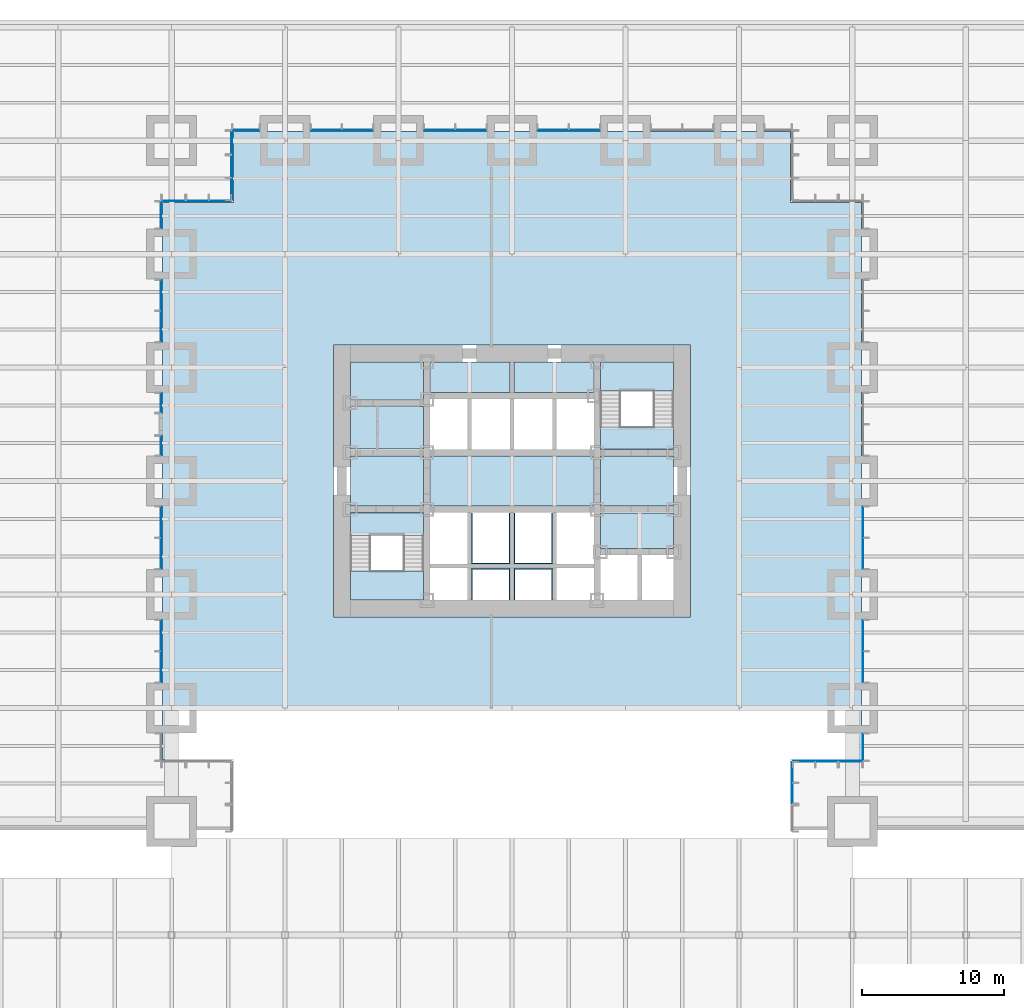
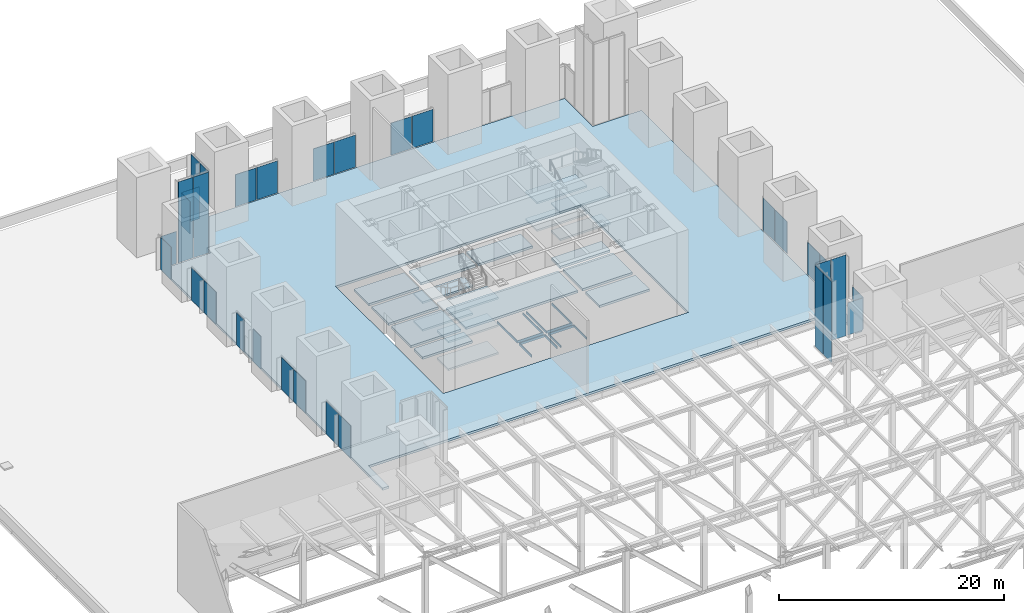
# One storey, part 14 of 20: 32 plates, 24 slabs, 22 elements without a shape of their own.
"""IFC4 building model written with IfcOpenShell, lengths in metres."""

from ifc_helpers import new_model, si_unit, direction, frame, origin, origin_2d, place, context, subcontext, project, spatial, polyline, rectangle, outline, extrude, material, layer, layer_set, type_object, element, aggregate, save


model = new_model("IFC4")

# Units and contexts
model_context = context("Model", 3, precision=1e-05, world=origin(), true_north=direction((0.0, 1.0)))
body_context = subcontext(model_context, "Body", "Model", "MODEL_VIEW")
ifc_project = project(units=[si_unit("LENGTHUNIT", "METRE"), si_unit("AREAUNIT", "SQUARE_METRE"), si_unit("VOLUMEUNIT", "CUBIC_METRE"), si_unit("PLANEANGLEUNIT", "RADIAN"), si_unit("MASSUNIT", "GRAM", prefix="KILO")], contexts=[model_context])

# Site, building, storey
site_placement = place(None, origin())
site = spatial("IfcSite", under=ifc_project, at=site_placement, CompositionType="ELEMENT")
building_placement = place(site_placement, origin())
building = spatial("IfcBuilding", under=site, at=building_placement, Name="Daluyong Arena Tower", CompositionType="ELEMENT")
storey_placement = place(building_placement, frame((0.0, 0.0, 25.89990234375)))
storey = spatial("IfcBuildingStorey", under=building, at=storey_placement, Name="L05", CompositionType="ELEMENT", Elevation=25.89990234375)

# Curtain wall, plates
ifc_material_1 = material(Name="Bronze anodised aluminium and glass", Category="aluminium")
curtain_wall_type = type_object("IfcCurtainWallType", Name="Curtain wall CW6", PredefinedType="USERDEFINED", material=ifc_material_1)
curtain_wall_1_placement = place(storey_placement, origin())
curtain_wall_1 = element("IfcCurtainWall", 1, at=curtain_wall_1_placement, inside=storey, type_object=curtain_wall_type, Name="curtain wall L05 SE-E bay 2", ObjectType="UNITISED CURTAIN WALL", PredefinedType="USERDEFINED")
ifc_material_2 = material(Name="Bronze aluminium louvre panel", Category="aluminium")
ifc_layer_1 = layer(ifc_material_2, 0.050048828125)
ifc_layer_set_1 = layer_set([ifc_layer_1], Name="Bronze aluminium louvre panel")
plate_type = type_object("IfcPlateType", Name="CW6 panel 50", PredefinedType="CURTAIN_PANEL", material=ifc_layer_set_1)
plate_1_placement = place(storey_placement, frame((75.75, 57.982421875, 0.0), z_axis=(0.0, 0.0, 1.0), x_axis=(0.0, 1.0, 0.0)))
plate_1 = element("IfcPlate", 2, at=plate_1_placement, type_object=plate_type, Name="curtain wall L05 SE-E bay 2 panel 1", PredefinedType="CURTAIN_PANEL", context=body_context, shape_type="SweptSolid", body=[
    extrude(rectangle(XDim=1.405029296875, YDim=0.050048828125, at=origin_2d()), origin(), (0.0, 0.0, 1.0), 8.800048828125),
])
plate_2_placement = place(storey_placement, frame((75.75, 59.467529296875, 0.0), z_axis=(0.0, 0.0, 1.0), x_axis=(0.0, 1.0, 0.0)))
plate_2 = element("IfcPlate", 3, at=plate_2_placement, type_object=plate_type, Name="curtain wall L05 SE-E bay 2 panel 2", PredefinedType="CURTAIN_PANEL", context=body_context, shape_type="SweptSolid", body=[
    extrude(rectangle(XDim=1.405029296875, YDim=0.050048828125, at=origin_2d()), origin(), (0.0, 0.0, 1.0), 8.800048828125),
])
aggregate(curtain_wall_1, [plate_1, plate_2])

curtain_wall_2_placement = place(storey_placement, origin())
curtain_wall_2 = element("IfcCurtainWall", 4, at=curtain_wall_2_placement, inside=storey, type_object=curtain_wall_type, Name="curtain wall L05 SE-S bay 1", ObjectType="UNITISED CURTAIN WALL", PredefinedType="USERDEFINED")
plate_3_placement = place(storey_placement, frame((76.58251953125, 60.25, 0.0), z_axis=(0.0, 0.0, 1.0), x_axis=(1.0, 0.0, 0.0)))
plate_3 = element("IfcPlate", 5, at=plate_3_placement, type_object=plate_type, Name="curtain wall L05 SE-S bay 1 panel 1", PredefinedType="CURTAIN_PANEL", context=body_context, shape_type="SweptSolid", body=[
    extrude(rectangle(XDim=1.5048828125, YDim=0.050048828125, at=origin_2d()), origin(), (0.0, 0.0, 1.0), 8.800048828125),
])
plate_4_placement = place(storey_placement, frame((78.16748046875, 60.25, 0.0), z_axis=(0.0, 0.0, 1.0), x_axis=(1.0, 0.0, 0.0)))
plate_4 = element("IfcPlate", 6, at=plate_4_placement, type_object=plate_type, Name="curtain wall L05 SE-S bay 1 panel 2", PredefinedType="CURTAIN_PANEL", context=body_context, shape_type="SweptSolid", body=[
    extrude(rectangle(XDim=1.5048828125, YDim=0.050048828125, at=origin_2d()), origin(), (0.0, 0.0, 1.0), 8.800048828125),
])
aggregate(curtain_wall_2, [plate_3, plate_4])

# Curtain wall, plate
curtain_wall_3_placement = place(storey_placement, origin())
curtain_wall_3 = element("IfcCurtainWall", 7, at=curtain_wall_3_placement, inside=storey, type_object=curtain_wall_type, Name="curtain wall L05 SE-S bay 2", ObjectType="UNITISED CURTAIN WALL", PredefinedType="USERDEFINED")
plate_5_placement = place(storey_placement, frame((79.875, 60.25, 0.0), z_axis=(0.0, 0.0, 1.0), x_axis=(1.0, 0.0, 0.0)))
plate_5 = element("IfcPlate", 8, at=plate_5_placement, type_object=plate_type, Name="curtain wall L05 SE-S bay 2 panel 1", PredefinedType="CURTAIN_PANEL", context=body_context, shape_type="SweptSolid", body=[
    extrude(rectangle(XDim=1.590087890625, YDim=0.050048828125, at=origin_2d()), origin(), (0.0, 0.0, 1.0), 3.5),
])
aggregate(curtain_wall_3, [plate_5])

curtain_wall_4_placement = place(storey_placement, origin())
curtain_wall_4 = element("IfcCurtainWall", 9, at=curtain_wall_4_placement, inside=storey, type_object=curtain_wall_type, Name="curtain wall L05 E bay 1", ObjectType="UNITISED CURTAIN WALL", PredefinedType="USERDEFINED")
plate_6_placement = place(storey_placement, frame((80.75, 61.25, 0.0), z_axis=(0.0, 0.0, 1.0), x_axis=(0.0, 1.0, 0.0)))
plate_6 = element("IfcPlate", 10, at=plate_6_placement, type_object=plate_type, Name="curtain wall L05 E bay 1 panel 1", PredefinedType="CURTAIN_PANEL", context=body_context, shape_type="SweptSolid", body=[
    extrude(rectangle(XDim=1.840087890625, YDim=0.050048828125, at=origin_2d()), origin(), (0.0, 0.0, 1.0), 3.5),
])
aggregate(curtain_wall_4, [plate_6])

# Curtain wall, plates
curtain_wall_5_placement = place(storey_placement, origin())
curtain_wall_5 = element("IfcCurtainWall", 11, at=curtain_wall_5_placement, inside=storey, type_object=curtain_wall_type, Name="curtain wall L05 E bay 2", ObjectType="UNITISED CURTAIN WALL", PredefinedType="USERDEFINED")
plate_7_placement = place(storey_placement, frame((80.75, 66.89501953125, 0.0), z_axis=(0.0, 0.0, 1.0), x_axis=(0.0, 1.0, 0.0)))
plate_7 = element("IfcPlate", 12, at=plate_7_placement, type_object=plate_type, Name="curtain wall L05 E bay 2 panel 1", PredefinedType="CURTAIN_PANEL", context=body_context, shape_type="SweptSolid", body=[
    extrude(rectangle(XDim=2.1298828125, YDim=0.050048828125, at=origin_2d()), origin(), (0.0, 0.0, 1.0), 3.5),
])
plate_8_placement = place(storey_placement, frame((80.75, 69.10498046875, 0.0), z_axis=(0.0, 0.0, 1.0), x_axis=(0.0, 1.0, 0.0)))
plate_8 = element("IfcPlate", 13, at=plate_8_placement, type_object=plate_type, Name="curtain wall L05 E bay 2 panel 2", PredefinedType="CURTAIN_PANEL", context=body_context, shape_type="SweptSolid", body=[
    extrude(rectangle(XDim=2.1298828125, YDim=0.050048828125, at=origin_2d()), origin(), (0.0, 0.0, 1.0), 3.5),
])
aggregate(curtain_wall_5, [plate_7, plate_8])

curtain_wall_6_placement = place(storey_placement, origin())
curtain_wall_6 = element("IfcCurtainWall", 14, at=curtain_wall_6_placement, inside=storey, type_object=curtain_wall_type, Name="curtain wall L05 E bay 3", ObjectType="UNITISED CURTAIN WALL", PredefinedType="USERDEFINED")
plate_9_placement = place(storey_placement, frame((80.75, 74.89501953125, 0.0), z_axis=(0.0, 0.0, 1.0), x_axis=(0.0, 1.0, 0.0)))
plate_9 = element("IfcPlate", 15, at=plate_9_placement, type_object=plate_type, Name="curtain wall L05 E bay 3 panel 1", PredefinedType="CURTAIN_PANEL", context=body_context, shape_type="SweptSolid", body=[
    extrude(rectangle(XDim=2.1298828125, YDim=0.050048828125, at=origin_2d()), origin(), (0.0, 0.0, 1.0), 3.5),
])
plate_10_placement = place(storey_placement, frame((80.75, 77.10498046875, 0.0), z_axis=(0.0, 0.0, 1.0), x_axis=(0.0, 1.0, 0.0)))
plate_10 = element("IfcPlate", 16, at=plate_10_placement, type_object=plate_type, Name="curtain wall L05 E bay 3 panel 2", PredefinedType="CURTAIN_PANEL", context=body_context, shape_type="SweptSolid", body=[
    extrude(rectangle(XDim=2.1298828125, YDim=0.050048828125, at=origin_2d()), origin(), (0.0, 0.0, 1.0), 3.5),
])
aggregate(curtain_wall_6, [plate_9, plate_10])

curtain_wall_7_placement = place(storey_placement, origin())
curtain_wall_7 = element("IfcCurtainWall", 17, at=curtain_wall_7_placement, inside=storey, type_object=curtain_wall_type, Name="curtain wall L05 N bay 3", ObjectType="UNITISED CURTAIN WALL", PredefinedType="USERDEFINED")
plate_11_placement = place(storey_placement, frame((61.10498046875, 104.75, 0.0), z_axis=(0.0, 0.0, 1.0), x_axis=(-1.0, 0.0, 0.0)))
plate_11 = element("IfcPlate", 18, at=plate_11_placement, type_object=plate_type, Name="curtain wall L05 N bay 3 panel 1", PredefinedType="CURTAIN_PANEL", context=body_context, shape_type="SweptSolid", body=[
    extrude(rectangle(XDim=2.1298828125, YDim=0.050048828125, at=origin_2d()), origin(), (0.0, 0.0, 1.0), 3.5),
])
plate_12_placement = place(storey_placement, frame((58.89501953125, 104.75, 0.0), z_axis=(0.0, 0.0, 1.0), x_axis=(-1.0, 0.0, 0.0)))
plate_12 = element("IfcPlate", 19, at=plate_12_placement, type_object=plate_type, Name="curtain wall L05 N bay 3 panel 2", PredefinedType="CURTAIN_PANEL", context=body_context, shape_type="SweptSolid", body=[
    extrude(rectangle(XDim=2.1298828125, YDim=0.050048828125, at=origin_2d()), origin(), (0.0, 0.0, 1.0), 3.5),
])
aggregate(curtain_wall_7, [plate_11, plate_12])

curtain_wall_8_placement = place(storey_placement, origin())
curtain_wall_8 = element("IfcCurtainWall", 20, at=curtain_wall_8_placement, inside=storey, type_object=curtain_wall_type, Name="curtain wall L05 N bay 4", ObjectType="UNITISED CURTAIN WALL", PredefinedType="USERDEFINED")
plate_13_placement = place(storey_placement, frame((53.10498046875, 104.75, 0.0), z_axis=(0.0, 0.0, 1.0), x_axis=(-1.0, 0.0, 0.0)))
plate_13 = element("IfcPlate", 21, at=plate_13_placement, type_object=plate_type, Name="curtain wall L05 N bay 4 panel 1", PredefinedType="CURTAIN_PANEL", context=body_context, shape_type="SweptSolid", body=[
    extrude(rectangle(XDim=2.1298828125, YDim=0.050048828125, at=origin_2d()), origin(), (0.0, 0.0, 1.0), 3.5),
])
plate_14_placement = place(storey_placement, frame((50.89501953125, 104.75, 0.0), z_axis=(0.0, 0.0, 1.0), x_axis=(-1.0, 0.0, 0.0)))
plate_14 = element("IfcPlate", 22, at=plate_14_placement, type_object=plate_type, Name="curtain wall L05 N bay 4 panel 2", PredefinedType="CURTAIN_PANEL", context=body_context, shape_type="SweptSolid", body=[
    extrude(rectangle(XDim=2.1298828125, YDim=0.050048828125, at=origin_2d()), origin(), (0.0, 0.0, 1.0), 3.5),
])
aggregate(curtain_wall_8, [plate_13, plate_14])

curtain_wall_9_placement = place(storey_placement, origin())
curtain_wall_9 = element("IfcCurtainWall", 23, at=curtain_wall_9_placement, inside=storey, type_object=curtain_wall_type, Name="curtain wall L05 N bay 5", ObjectType="UNITISED CURTAIN WALL", PredefinedType="USERDEFINED")
plate_15_placement = place(storey_placement, frame((45.10498046875, 104.75, 0.0), z_axis=(0.0, 0.0, 1.0), x_axis=(-1.0, 0.0, 0.0)))
plate_15 = element("IfcPlate", 24, at=plate_15_placement, type_object=plate_type, Name="curtain wall L05 N bay 5 panel 1", PredefinedType="CURTAIN_PANEL", context=body_context, shape_type="SweptSolid", body=[
    extrude(rectangle(XDim=2.1298828125, YDim=0.050048828125, at=origin_2d()), origin(), (0.0, 0.0, 1.0), 3.5),
])
plate_16_placement = place(storey_placement, frame((42.89501953125, 104.75, 0.0), z_axis=(0.0, 0.0, 1.0), x_axis=(-1.0, 0.0, 0.0)))
plate_16 = element("IfcPlate", 25, at=plate_16_placement, type_object=plate_type, Name="curtain wall L05 N bay 5 panel 2", PredefinedType="CURTAIN_PANEL", context=body_context, shape_type="SweptSolid", body=[
    extrude(rectangle(XDim=2.1298828125, YDim=0.050048828125, at=origin_2d()), origin(), (0.0, 0.0, 1.0), 3.5),
])
aggregate(curtain_wall_9, [plate_15, plate_16])

# Curtain wall, plate
curtain_wall_10_placement = place(storey_placement, origin())
curtain_wall_10 = element("IfcCurtainWall", 26, at=curtain_wall_10_placement, inside=storey, type_object=curtain_wall_type, Name="curtain wall L05 N bay 6", ObjectType="UNITISED CURTAIN WALL", PredefinedType="USERDEFINED")
plate_17_placement = place(storey_placement, frame((37.25, 104.75, 0.0), z_axis=(0.0, 0.0, 1.0), x_axis=(-1.0, 0.0, 0.0)))
plate_17 = element("IfcPlate", 27, at=plate_17_placement, type_object=plate_type, Name="curtain wall L05 N bay 6 panel 1", PredefinedType="CURTAIN_PANEL", context=body_context, shape_type="SweptSolid", body=[
    extrude(rectangle(XDim=1.840087890625, YDim=0.050048828125, at=origin_2d()), origin(), (0.0, 0.0, 1.0), 3.5),
])
aggregate(curtain_wall_10, [plate_17])

curtain_wall_11_placement = place(storey_placement, origin())
curtain_wall_11 = element("IfcCurtainWall", 28, at=curtain_wall_11_placement, inside=storey, type_object=curtain_wall_type, Name="curtain wall L05 NW-W bay 1", ObjectType="UNITISED CURTAIN WALL", PredefinedType="USERDEFINED")
plate_18_placement = place(storey_placement, frame((36.25, 103.875, 0.0), z_axis=(0.0, 0.0, 1.0), x_axis=(0.0, -1.0, 0.0)))
plate_18 = element("IfcPlate", 29, at=plate_18_placement, type_object=plate_type, Name="curtain wall L05 NW-W bay 1 panel 1", PredefinedType="CURTAIN_PANEL", context=body_context, shape_type="SweptSolid", body=[
    extrude(rectangle(XDim=1.590087890625, YDim=0.050048828125, at=origin_2d()), origin(), (0.0, 0.0, 1.0), 3.5),
])
aggregate(curtain_wall_11, [plate_18])

# Curtain wall, plates
curtain_wall_12_placement = place(storey_placement, origin())
curtain_wall_12 = element("IfcCurtainWall", 30, at=curtain_wall_12_placement, inside=storey, type_object=curtain_wall_type, Name="curtain wall L05 NW-W bay 2", ObjectType="UNITISED CURTAIN WALL", PredefinedType="USERDEFINED")
plate_19_placement = place(storey_placement, frame((36.25, 102.16748046875, 0.0), z_axis=(0.0, 0.0, 1.0), x_axis=(0.0, -1.0, 0.0)))
plate_19 = element("IfcPlate", 31, at=plate_19_placement, type_object=plate_type, Name="curtain wall L05 NW-W bay 2 panel 1", PredefinedType="CURTAIN_PANEL", context=body_context, shape_type="SweptSolid", body=[
    extrude(rectangle(XDim=1.5048828125, YDim=0.050048828125, at=origin_2d()), origin(), (0.0, 0.0, 1.0), 8.800048828125),
])
plate_20_placement = place(storey_placement, frame((36.25, 100.58251953125, 0.0), z_axis=(0.0, 0.0, 1.0), x_axis=(0.0, -1.0, 0.0)))
plate_20 = element("IfcPlate", 32, at=plate_20_placement, type_object=plate_type, Name="curtain wall L05 NW-W bay 2 panel 2", PredefinedType="CURTAIN_PANEL", context=body_context, shape_type="SweptSolid", body=[
    extrude(rectangle(XDim=1.5048828125, YDim=0.050048828125, at=origin_2d()), origin(), (0.0, 0.0, 1.0), 8.800048828125),
])
aggregate(curtain_wall_12, [plate_19, plate_20])

curtain_wall_13_placement = place(storey_placement, origin())
curtain_wall_13 = element("IfcCurtainWall", 33, at=curtain_wall_13_placement, inside=storey, type_object=curtain_wall_type, Name="curtain wall L05 NW-N bay 1", ObjectType="UNITISED CURTAIN WALL", PredefinedType="USERDEFINED")
plate_21_placement = place(storey_placement, frame((35.41748046875, 99.75, 0.0), z_axis=(0.0, 0.0, 1.0), x_axis=(-1.0, 0.0, 0.0)))
plate_21 = element("IfcPlate", 34, at=plate_21_placement, type_object=plate_type, Name="curtain wall L05 NW-N bay 1 panel 1", PredefinedType="CURTAIN_PANEL", context=body_context, shape_type="SweptSolid", body=[
    extrude(rectangle(XDim=1.5048828125, YDim=0.050048828125, at=origin_2d()), origin(), (0.0, 0.0, 1.0), 8.800048828125),
])
plate_22_placement = place(storey_placement, frame((33.83251953125, 99.75, 0.0), z_axis=(0.0, 0.0, 1.0), x_axis=(-1.0, 0.0, 0.0)))
plate_22 = element("IfcPlate", 35, at=plate_22_placement, type_object=plate_type, Name="curtain wall L05 NW-N bay 1 panel 2", PredefinedType="CURTAIN_PANEL", context=body_context, shape_type="SweptSolid", body=[
    extrude(rectangle(XDim=1.5048828125, YDim=0.050048828125, at=origin_2d()), origin(), (0.0, 0.0, 1.0), 8.800048828125),
])
aggregate(curtain_wall_13, [plate_21, plate_22])

# Curtain wall, plate
curtain_wall_14_placement = place(storey_placement, origin())
curtain_wall_14 = element("IfcCurtainWall", 36, at=curtain_wall_14_placement, inside=storey, type_object=curtain_wall_type, Name="curtain wall L05 NW-N bay 2", ObjectType="UNITISED CURTAIN WALL", PredefinedType="USERDEFINED")
plate_23_placement = place(storey_placement, frame((32.125, 99.75, 0.0), z_axis=(0.0, 0.0, 1.0), x_axis=(-1.0, 0.0, 0.0)))
plate_23 = element("IfcPlate", 37, at=plate_23_placement, type_object=plate_type, Name="curtain wall L05 NW-N bay 2 panel 1", PredefinedType="CURTAIN_PANEL", context=body_context, shape_type="SweptSolid", body=[
    extrude(rectangle(XDim=1.590087890625, YDim=0.050048828125, at=origin_2d()), origin(), (0.0, 0.0, 1.0), 3.5),
])
aggregate(curtain_wall_14, [plate_23])

curtain_wall_15_placement = place(storey_placement, origin())
curtain_wall_15 = element("IfcCurtainWall", 38, at=curtain_wall_15_placement, inside=storey, type_object=curtain_wall_type, Name="curtain wall L05 W bay 1", ObjectType="UNITISED CURTAIN WALL", PredefinedType="USERDEFINED")
plate_24_placement = place(storey_placement, frame((31.25, 98.75, 0.0), z_axis=(0.0, 0.0, 1.0), x_axis=(0.0, -1.0, 0.0)))
plate_24 = element("IfcPlate", 39, at=plate_24_placement, type_object=plate_type, Name="curtain wall L05 W bay 1 panel 1", PredefinedType="CURTAIN_PANEL", context=body_context, shape_type="SweptSolid", body=[
    extrude(rectangle(XDim=1.840087890625, YDim=0.050048828125, at=origin_2d()), origin(), (0.0, 0.0, 1.0), 3.5),
])
aggregate(curtain_wall_15, [plate_24])

# Curtain wall, plates
curtain_wall_16_placement = place(storey_placement, origin())
curtain_wall_16 = element("IfcCurtainWall", 40, at=curtain_wall_16_placement, inside=storey, type_object=curtain_wall_type, Name="curtain wall L05 W bay 2", ObjectType="UNITISED CURTAIN WALL", PredefinedType="USERDEFINED")
plate_25_placement = place(storey_placement, frame((31.25, 93.10498046875, 0.0), z_axis=(0.0, 0.0, 1.0), x_axis=(0.0, -1.0, 0.0)))
plate_25 = element("IfcPlate", 41, at=plate_25_placement, type_object=plate_type, Name="curtain wall L05 W bay 2 panel 1", PredefinedType="CURTAIN_PANEL", context=body_context, shape_type="SweptSolid", body=[
    extrude(rectangle(XDim=2.1298828125, YDim=0.050048828125, at=origin_2d()), origin(), (0.0, 0.0, 1.0), 3.5),
])
plate_26_placement = place(storey_placement, frame((31.25, 90.89501953125, 0.0), z_axis=(0.0, 0.0, 1.0), x_axis=(0.0, -1.0, 0.0)))
plate_26 = element("IfcPlate", 42, at=plate_26_placement, type_object=plate_type, Name="curtain wall L05 W bay 2 panel 2", PredefinedType="CURTAIN_PANEL", context=body_context, shape_type="SweptSolid", body=[
    extrude(rectangle(XDim=2.1298828125, YDim=0.050048828125, at=origin_2d()), origin(), (0.0, 0.0, 1.0), 3.5),
])
aggregate(curtain_wall_16, [plate_25, plate_26])

# Curtain wall, plate
curtain_wall_17_placement = place(storey_placement, origin())
curtain_wall_17 = element("IfcCurtainWall", 43, at=curtain_wall_17_placement, inside=storey, type_object=curtain_wall_type, Name="curtain wall L05 W bay 3 part 1", ObjectType="UNITISED CURTAIN WALL", PredefinedType="USERDEFINED")
plate_27_placement = place(storey_placement, frame((31.25, 85.5, 0.0), z_axis=(0.0, 0.0, 1.0), x_axis=(0.0, -1.0, 0.0)))
plate_27 = element("IfcPlate", 44, at=plate_27_placement, type_object=plate_type, Name="curtain wall L05 W bay 3 part 1 panel 1", PredefinedType="CURTAIN_PANEL", context=body_context, shape_type="SweptSolid", body=[
    extrude(rectangle(XDim=1.340087890625, YDim=0.050048828125, at=origin_2d()), origin(), (0.0, 0.0, 1.0), 3.5),
])
aggregate(curtain_wall_17, [plate_27])

curtain_wall_18_placement = place(storey_placement, origin())
curtain_wall_18 = element("IfcCurtainWall", 45, at=curtain_wall_18_placement, inside=storey, type_object=curtain_wall_type, Name="curtain wall L05 W bay 3 part 2", ObjectType="UNITISED CURTAIN WALL", PredefinedType="USERDEFINED")
plate_28_placement = place(storey_placement, frame((31.25, 82.5, 0.0), z_axis=(0.0, 0.0, 1.0), x_axis=(0.0, -1.0, 0.0)))
plate_28 = element("IfcPlate", 46, at=plate_28_placement, type_object=plate_type, Name="curtain wall L05 W bay 3 part 2 panel 1", PredefinedType="CURTAIN_PANEL", context=body_context, shape_type="SweptSolid", body=[
    extrude(rectangle(XDim=1.340087890625, YDim=0.050048828125, at=origin_2d()), origin(), (0.0, 0.0, 1.0), 3.5),
])
aggregate(curtain_wall_18, [plate_28])

# Curtain wall, plates
curtain_wall_19_placement = place(storey_placement, origin())
curtain_wall_19 = element("IfcCurtainWall", 47, at=curtain_wall_19_placement, inside=storey, type_object=curtain_wall_type, Name="curtain wall L05 W bay 4", ObjectType="UNITISED CURTAIN WALL", PredefinedType="USERDEFINED")
plate_29_placement = place(storey_placement, frame((31.25, 77.10498046875, 0.0), z_axis=(0.0, 0.0, 1.0), x_axis=(0.0, -1.0, 0.0)))
plate_29 = element("IfcPlate", 48, at=plate_29_placement, type_object=plate_type, Name="curtain wall L05 W bay 4 panel 1", PredefinedType="CURTAIN_PANEL", context=body_context, shape_type="SweptSolid", body=[
    extrude(rectangle(XDim=2.1298828125, YDim=0.050048828125, at=origin_2d()), origin(), (0.0, 0.0, 1.0), 3.5),
])
plate_30_placement = place(storey_placement, frame((31.25, 74.89501953125, 0.0), z_axis=(0.0, 0.0, 1.0), x_axis=(0.0, -1.0, 0.0)))
plate_30 = element("IfcPlate", 49, at=plate_30_placement, type_object=plate_type, Name="curtain wall L05 W bay 4 panel 2", PredefinedType="CURTAIN_PANEL", context=body_context, shape_type="SweptSolid", body=[
    extrude(rectangle(XDim=2.1298828125, YDim=0.050048828125, at=origin_2d()), origin(), (0.0, 0.0, 1.0), 3.5),
])
aggregate(curtain_wall_19, [plate_29, plate_30])

curtain_wall_20_placement = place(storey_placement, origin())
curtain_wall_20 = element("IfcCurtainWall", 50, at=curtain_wall_20_placement, inside=storey, type_object=curtain_wall_type, Name="curtain wall L05 W bay 5", ObjectType="UNITISED CURTAIN WALL", PredefinedType="USERDEFINED")
plate_31_placement = place(storey_placement, frame((31.25, 69.10498046875, 0.0), z_axis=(0.0, 0.0, 1.0), x_axis=(0.0, -1.0, 0.0)))
plate_31 = element("IfcPlate", 51, at=plate_31_placement, type_object=plate_type, Name="curtain wall L05 W bay 5 panel 1", PredefinedType="CURTAIN_PANEL", context=body_context, shape_type="SweptSolid", body=[
    extrude(rectangle(XDim=2.1298828125, YDim=0.050048828125, at=origin_2d()), origin(), (0.0, 0.0, 1.0), 3.5),
])
plate_32_placement = place(storey_placement, frame((31.25, 66.89501953125, 0.0), z_axis=(0.0, 0.0, 1.0), x_axis=(0.0, -1.0, 0.0)))
plate_32 = element("IfcPlate", 52, at=plate_32_placement, type_object=plate_type, Name="curtain wall L05 W bay 5 panel 2", PredefinedType="CURTAIN_PANEL", context=body_context, shape_type="SweptSolid", body=[
    extrude(rectangle(XDim=2.1298828125, YDim=0.050048828125, at=origin_2d()), origin(), (0.0, 0.0, 1.0), 3.5),
])
aggregate(curtain_wall_20, [plate_31, plate_32])

# Slabs
ifc_material_3 = material(Name="Concrete fc' 35 MPa", Category="concrete")
ifc_layer_2 = layer(ifc_material_3, 0.25)
ifc_layer_set_2 = layer_set([ifc_layer_2], Name="Concrete fc' 35 MPa")
slab_type_1 = type_object("IfcSlabType", Name="Plant floor slab 250", PredefinedType="FLOOR", material=ifc_layer_set_2)
slab_1_placement = place(storey_placement, frame((0.0, 0.0, -0.25)))
element("IfcSlab", 53, at=slab_1_placement, inside=storey, type_object=slab_type_1, Name="transfer level plant floor part 1", PredefinedType="FLOOR", context=body_context, shape_type="SweptSolid", body=[
    extrude(outline(polyline([(49.75, 76.175048828125), (49.75, 77.75), (44.60009765625, 77.75), (44.60009765625, 76.175048828125), (49.75, 76.175048828125)])), origin(), (0.0, 0.0, 1.0), 0.25),
])
slab_2_placement = place(storey_placement, frame((0.0, 0.0, -0.25)))
element("IfcSlab", 54, at=slab_2_placement, inside=storey, type_object=slab_type_1, Name="transfer level plant floor part 2", PredefinedType="FLOOR", context=body_context, shape_type="SweptSolid", body=[
    extrude(outline(polyline([(49.75, 78.25), (49.75, 81.75), (44.60009765625, 81.75), (44.60009765625, 78.25), (49.75, 78.25)])), origin(), (0.0, 0.0, 1.0), 0.25),
])
slab_3_placement = place(storey_placement, frame((0.0, 0.0, -0.25)))
element("IfcSlab", 55, at=slab_3_placement, inside=storey, type_object=slab_type_1, Name="transfer level plant floor part 3", PredefinedType="FLOOR", context=body_context, shape_type="SweptSolid", body=[
    extrude(outline(polyline([(49.75, 82.25), (49.75, 85.25), (44.60009765625, 85.25), (44.60009765625, 82.25), (49.75, 82.25)])), origin(), (0.0, 0.0, 1.0), 0.25),
])
slab_4_placement = place(storey_placement, frame((0.0, 0.0, -0.25)))
element("IfcSlab", 56, at=slab_4_placement, inside=storey, type_object=slab_type_1, Name="transfer level plant floor part 4", PredefinedType="FLOOR", context=body_context, shape_type="SweptSolid", body=[
    extrude(outline(polyline([(44.60009765625, 88.39990234375), (44.60009765625, 85.75), (49.75, 85.75), (49.75, 88.39990234375), (44.60009765625, 88.39990234375)])), origin(), (0.0, 0.0, 1.0), 0.25),
])
slab_5_placement = place(storey_placement, frame((0.0, 0.0, -0.25)))
element("IfcSlab", 57, at=slab_5_placement, inside=storey, type_object=slab_type_1, Name="transfer level plant floor part 5", PredefinedType="FLOOR", context=body_context, shape_type="SweptSolid", body=[
    extrude(outline(polyline([(50.25, 88.39990234375), (50.25, 86.25), (55.85009765625, 86.25), (55.85009765625, 88.39990234375), (50.25, 88.39990234375)])), origin(), (0.0, 0.0, 1.0), 0.25),
])
slab_6_placement = place(storey_placement, frame((0.0, 0.0, -0.25)))
element("IfcSlab", 58, at=slab_6_placement, inside=storey, type_object=slab_type_1, Name="transfer level plant floor part 6", PredefinedType="FLOOR", context=body_context, shape_type="SweptSolid", body=[
    extrude(outline(polyline([(55.77490234375, 73.77490234375), (55.77490234375, 71.60009765625), (55.85009765625, 71.60009765625), (55.85009765625, 73.85009765625), (53.14990234375, 73.85009765625), (53.14990234375, 71.60009765625), (53.22509765625, 71.60009765625), (53.22509765625, 73.77490234375), (55.77490234375, 73.77490234375)])), origin(), (0.0, 0.0, 1.0), 0.25),
])
slab_7_placement = place(storey_placement, frame((0.0, 0.0, -0.25)))
element("IfcSlab", 59, at=slab_7_placement, inside=storey, type_object=slab_type_1, Name="transfer level plant floor part 7", PredefinedType="FLOOR", context=body_context, shape_type="SweptSolid", body=[
    extrude(outline(polyline([(53.14990234375, 77.75), (53.14990234375, 74.14990234375), (55.85009765625, 74.14990234375), (55.85009765625, 77.75), (55.77490234375, 77.75), (55.77490234375, 74.22509765625), (53.22509765625, 74.22509765625), (53.22509765625, 77.75), (53.14990234375, 77.75)])), origin(), (0.0, 0.0, 1.0), 0.25),
])
slab_8_placement = place(storey_placement, frame((0.0, 0.0, -0.25)))
element("IfcSlab", 60, at=slab_8_placement, inside=storey, type_object=slab_type_1, Name="transfer level plant floor part 8", PredefinedType="FLOOR", context=body_context, shape_type="SweptSolid", body=[
    extrude(outline(polyline([(61.75, 81.75), (50.25, 81.75), (50.25, 78.25), (61.75, 78.25), (61.75, 81.75)])), origin(), (0.0, 0.0, 1.0), 0.25),
])
slab_9_placement = place(storey_placement, frame((0.0, 0.0, -0.25)))
element("IfcSlab", 61, at=slab_9_placement, inside=storey, type_object=slab_type_1, Name="transfer level plant floor part 9", PredefinedType="FLOOR", context=body_context, shape_type="SweptSolid", body=[
    extrude(outline(polyline([(31.35009765625, 99.64990234375), (31.35009765625, 60.35009765625), (32.0, 60.35009765625), (32.0, 64.0), (80.0, 64.0), (80.0, 60.35009765625), (80.64990234375, 60.35009765625), (80.64990234375, 99.64990234375), (75.64990234375, 99.64990234375), (75.64990234375, 104.64990234375), (36.35009765625, 104.64990234375), (36.35009765625, 99.64990234375), (31.35009765625, 99.64990234375)]), holes=[polyline([(68.60009765625, 89.60009765625), (68.60009765625, 70.39990234375), (43.39990234375, 70.39990234375), (43.39990234375, 89.60009765625), (68.60009765625, 89.60009765625)])]), origin(), (0.0, 0.0, 1.0), 0.25),
])
slab_10_placement = place(storey_placement, frame((0.0, 0.0, -0.25)))
element("IfcSlab", 62, at=slab_10_placement, inside=storey, type_object=slab_type_1, Name="transfer level plant floor part 10", PredefinedType="FLOOR", context=body_context, shape_type="SweptSolid", body=[
    extrude(outline(polyline([(58.77490234375, 73.77490234375), (58.77490234375, 71.60009765625), (58.85009765625, 71.60009765625), (58.85009765625, 73.85009765625), (56.14990234375, 73.85009765625), (56.14990234375, 71.60009765625), (56.22509765625, 71.60009765625), (56.22509765625, 73.77490234375), (58.77490234375, 73.77490234375)])), origin(), (0.0, 0.0, 1.0), 0.25),
])
slab_11_placement = place(storey_placement, frame((0.0, 0.0, -0.25)))
element("IfcSlab", 63, at=slab_11_placement, inside=storey, type_object=slab_type_1, Name="transfer level plant floor part 11", PredefinedType="FLOOR", context=body_context, shape_type="SweptSolid", body=[
    extrude(outline(polyline([(56.14990234375, 77.75), (56.14990234375, 74.14990234375), (58.85009765625, 74.14990234375), (58.85009765625, 77.75), (58.77490234375, 77.75), (58.77490234375, 74.22509765625), (56.22509765625, 74.22509765625), (56.22509765625, 77.75), (56.14990234375, 77.75)])), origin(), (0.0, 0.0, 1.0), 0.25),
])
slab_12_placement = place(storey_placement, frame((0.0, 0.0, -0.25)))
element("IfcSlab", 64, at=slab_12_placement, inside=storey, type_object=slab_type_1, Name="transfer level plant floor part 12", PredefinedType="FLOOR", context=body_context, shape_type="SweptSolid", body=[
    extrude(outline(polyline([(56.14990234375, 86.25), (61.75, 86.25), (61.75, 88.39990234375), (56.14990234375, 88.39990234375), (56.14990234375, 86.25)])), origin(), (0.0, 0.0, 1.0), 0.25),
])
slab_13_placement = place(storey_placement, frame((0.0, 0.0, -0.25)))
element("IfcSlab", 65, at=slab_13_placement, inside=storey, type_object=slab_type_1, Name="transfer level plant floor part 13", PredefinedType="FLOOR", context=body_context, shape_type="SweptSolid", body=[
    extrude(outline(polyline([(67.39990234375, 82.25), (67.39990234375, 83.824951171875), (62.25, 83.824951171875), (62.25, 82.25), (67.39990234375, 82.25)])), origin(), (0.0, 0.0, 1.0), 0.25),
])
slab_14_placement = place(storey_placement, frame((0.0, 0.0, -0.25)))
element("IfcSlab", 66, at=slab_14_placement, inside=storey, type_object=slab_type_1, Name="transfer level plant floor part 14", PredefinedType="FLOOR", context=body_context, shape_type="SweptSolid", body=[
    extrude(outline(polyline([(67.39990234375, 75.25), (67.39990234375, 77.75), (62.25, 77.75), (62.25, 75.25), (67.39990234375, 75.25)])), origin(), (0.0, 0.0, 1.0), 0.25),
])
slab_15_placement = place(storey_placement, frame((0.0, 0.0, -0.25)))
element("IfcSlab", 67, at=slab_15_placement, inside=storey, type_object=slab_type_1, Name="transfer level plant floor part 15", PredefinedType="FLOOR", context=body_context, shape_type="SweptSolid", body=[
    extrude(outline(polyline([(67.39990234375, 78.25), (67.39990234375, 81.75), (62.25, 81.75), (62.25, 78.25), (67.39990234375, 78.25)])), origin(), (0.0, 0.0, 1.0), 0.25),
])

# Stair, slabs
ifc_material_4 = material(Name="Concrete fc' 35 MPa", Category="concrete")
stair_type = type_object("IfcStairType", Name="Core exit stair", PredefinedType="HALF_TURN_STAIR", material=ifc_material_4)
stair_1_placement = place(storey_placement, origin())
stair_1 = element("IfcStair", 68, at=stair_1_placement, inside=storey, type_object=stair_type, Name="exit stair A L05", PredefinedType="HALF_TURN_STAIR")
ifc_material_5 = material(Name="Concrete fc' 35 MPa", Category="concrete")
ifc_layer_3 = layer(ifc_material_5, 0.199951171875)
ifc_layer_set_3 = layer_set([ifc_layer_3], Name="Concrete fc' 35 MPa")
slab_type_2 = type_object("IfcSlabType", Name="Stair landing 200", PredefinedType="LANDING", material=ifc_layer_set_3)
slab_16_placement = place(storey_placement, frame((0.0, 0.0, 1.300048828125)))
slab_16 = element("IfcSlab", 69, at=slab_16_placement, type_object=slab_type_2, Name="STA landing 1", PredefinedType="LANDING", context=body_context, shape_type="SweptSolid", body=[
    extrude(outline(polyline([(44.60009765625, 71.60009765625), (49.77490234375, 71.60009765625), (49.77490234375, 73.655029296875), (44.60009765625, 73.655029296875), (44.60009765625, 71.60009765625)])), origin(), (0.0, 0.0, 1.0), 0.199951171875),
])
slab_17_placement = place(storey_placement, frame((0.0, 0.0, 2.800048828125)))
slab_17 = element("IfcSlab", 70, at=slab_17_placement, type_object=slab_type_2, Name="STA landing 2", PredefinedType="LANDING", context=body_context, shape_type="SweptSolid", body=[
    extrude(outline(polyline([(44.60009765625, 76.175048828125), (49.77490234375, 76.175048828125), (49.77490234375, 77.77490234375), (44.60009765625, 77.77490234375), (44.60009765625, 76.175048828125)])), origin(), (0.0, 0.0, 1.0), 0.199951171875),
])
slab_18_placement = place(storey_placement, frame((0.0, 0.0, 4.300048828125)))
slab_18 = element("IfcSlab", 71, at=slab_18_placement, type_object=slab_type_2, Name="STA landing 3", PredefinedType="LANDING", context=body_context, shape_type="SweptSolid", body=[
    extrude(outline(polyline([(44.60009765625, 71.60009765625), (49.77490234375, 71.60009765625), (49.77490234375, 73.655029296875), (44.60009765625, 73.655029296875), (44.60009765625, 71.60009765625)])), origin(), (0.0, 0.0, 1.0), 0.199951171875),
])
slab_19_placement = place(storey_placement, frame((0.0, 0.0, 5.800048828125)))
slab_19 = element("IfcSlab", 72, at=slab_19_placement, type_object=slab_type_2, Name="STA landing 4", PredefinedType="LANDING", context=body_context, shape_type="SweptSolid", body=[
    extrude(outline(polyline([(44.60009765625, 76.175048828125), (49.77490234375, 76.175048828125), (49.77490234375, 77.77490234375), (44.60009765625, 77.77490234375), (44.60009765625, 76.175048828125)])), origin(), (0.0, 0.0, 1.0), 0.199951171875),
])
slab_20_placement = place(storey_placement, frame((0.0, 0.0, 7.300048828125)))
slab_20 = element("IfcSlab", 73, at=slab_20_placement, type_object=slab_type_2, Name="STA landing 5", PredefinedType="LANDING", context=body_context, shape_type="SweptSolid", body=[
    extrude(outline(polyline([(44.60009765625, 71.60009765625), (49.77490234375, 71.60009765625), (49.77490234375, 73.655029296875), (44.60009765625, 73.655029296875), (44.60009765625, 71.60009765625)])), origin(), (0.0, 0.0, 1.0), 0.199951171875),
])
aggregate(stair_1, [slab_16, slab_17, slab_18, slab_19, slab_20])

stair_2_placement = place(storey_placement, origin())
stair_2 = element("IfcStair", 74, at=stair_2_placement, inside=storey, type_object=stair_type, Name="exit stair B L05", PredefinedType="HALF_TURN_STAIR")
slab_21_placement = place(storey_placement, frame((0.0, 0.0, 1.300048828125)))
slab_21 = element("IfcSlab", 75, at=slab_21_placement, type_object=slab_type_2, Name="STB landing 1", PredefinedType="LANDING", context=body_context, shape_type="SweptSolid", body=[
    extrude(outline(polyline([(62.22509765625, 86.344970703125), (67.39990234375, 86.344970703125), (67.39990234375, 88.39990234375), (62.22509765625, 88.39990234375), (62.22509765625, 86.344970703125)])), origin(), (0.0, 0.0, 1.0), 0.199951171875),
])
slab_22_placement = place(storey_placement, frame((0.0, 0.0, 2.800048828125)))
slab_22 = element("IfcSlab", 76, at=slab_22_placement, type_object=slab_type_2, Name="STB landing 2", PredefinedType="LANDING", context=body_context, shape_type="SweptSolid", body=[
    extrude(outline(polyline([(62.22509765625, 82.22509765625), (67.39990234375, 82.22509765625), (67.39990234375, 83.824951171875), (62.22509765625, 83.824951171875), (62.22509765625, 82.22509765625)])), origin(), (0.0, 0.0, 1.0), 0.199951171875),
])
slab_23_placement = place(storey_placement, frame((0.0, 0.0, 4.300048828125)))
slab_23 = element("IfcSlab", 77, at=slab_23_placement, type_object=slab_type_2, Name="STB landing 3", PredefinedType="LANDING", context=body_context, shape_type="SweptSolid", body=[
    extrude(outline(polyline([(62.22509765625, 86.344970703125), (67.39990234375, 86.344970703125), (67.39990234375, 88.39990234375), (62.22509765625, 88.39990234375), (62.22509765625, 86.344970703125)])), origin(), (0.0, 0.0, 1.0), 0.199951171875),
])
slab_24_placement = place(storey_placement, frame((0.0, 0.0, 5.800048828125)))
slab_24 = element("IfcSlab", 78, at=slab_24_placement, type_object=slab_type_2, Name="STB landing 4", PredefinedType="LANDING", context=body_context, shape_type="SweptSolid", body=[
    extrude(outline(polyline([(62.22509765625, 82.22509765625), (67.39990234375, 82.22509765625), (67.39990234375, 83.824951171875), (62.22509765625, 83.824951171875), (62.22509765625, 82.22509765625)])), origin(), (0.0, 0.0, 1.0), 0.199951171875),
])
aggregate(stair_2, [slab_21, slab_22, slab_23, slab_24])

save(model, "model.ifc")
